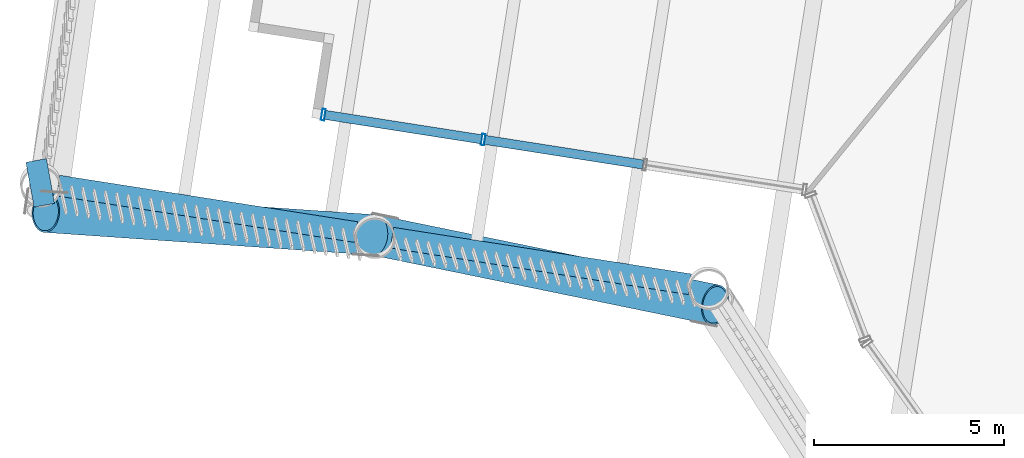
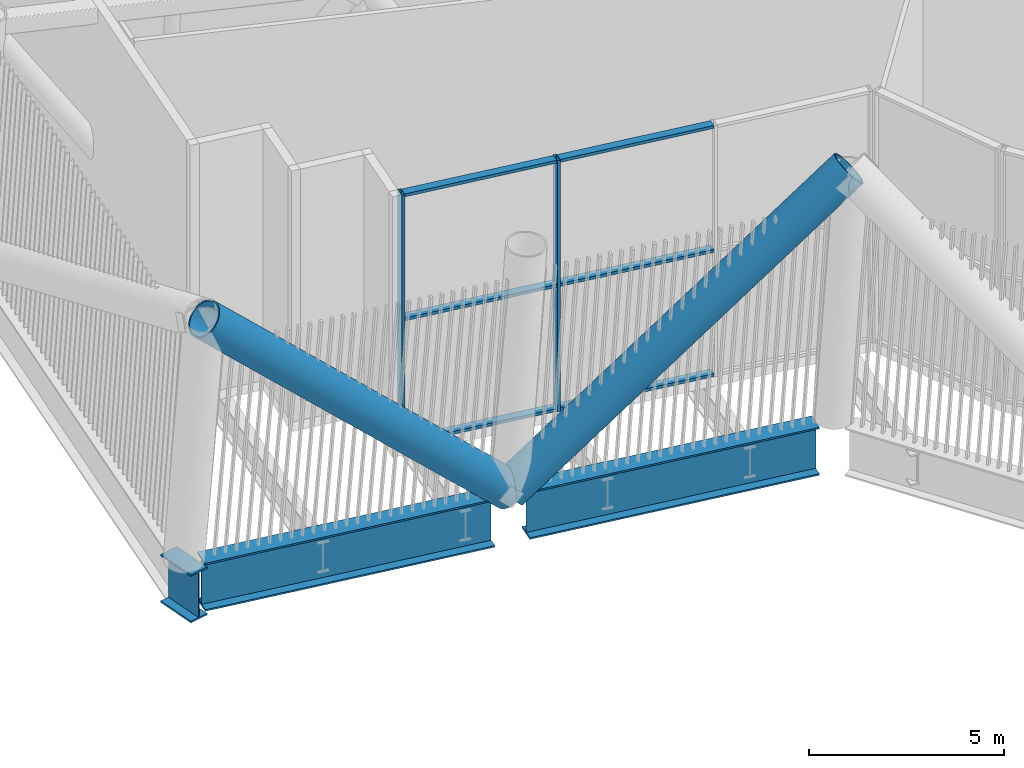
# One storey, part 11 of 55: 10 members, 3 beams, 1 element without a shape of its own.
"""IFC4 building model written with IfcOpenShell, lengths in metres."""

from ifc_helpers import new_model, si_unit, direction, frame, origin, origin_2d, place, context, subcontext, project, spatial, hollow_rectangle, hollow_circle, i_section, extrude, material, layer, layer_set, material_profile, profile_set, type_object, element, aggregate, save


model = new_model("IFC4")

# Units and contexts
model_context = context("Model", 3, precision=1e-05, world=origin(), true_north=direction((0.0, 1.0)))
body_context = subcontext(model_context, "Body", "Model", "MODEL_VIEW")
ifc_project = project(units=[si_unit("LENGTHUNIT", "METRE"), si_unit("AREAUNIT", "SQUARE_METRE"), si_unit("VOLUMEUNIT", "CUBIC_METRE"), si_unit("PLANEANGLEUNIT", "RADIAN"), si_unit("MASSUNIT", "GRAM", prefix="KILO")], contexts=[model_context])

# Site, building, storey
site_placement = place(None, origin())
site = spatial("IfcSite", under=ifc_project, at=site_placement, CompositionType="ELEMENT")
building_placement = place(site_placement, origin())
building = spatial("IfcBuilding", under=site, at=building_placement, Name="Tarsis Ring Headquarters", CompositionType="ELEMENT")
storey_placement = place(building_placement, frame((0.0, 0.0, 247.199951171875)))
storey = spatial("IfcBuildingStorey", under=building, at=storey_placement, Name="L58", CompositionType="ELEMENT", Elevation=247.199951171875)

# Curtain wall, members
ifc_material_1 = material(Name="Aluminium curtain wall", Category="aluminium")
ifc_layer = layer(ifc_material_1, 0.300048828125)
ifc_layer_set = layer_set([ifc_layer], Name="Curtain wall upper sky lobby")
curtain_wall_type = type_object("IfcCurtainWallType", Name="Curtain wall upper sky lobby", PredefinedType="NOTDEFINED", material=ifc_layer_set)
curtain_wall_placement = place(storey_placement, origin())
curtain_wall = element("IfcCurtainWall", 1, at=curtain_wall_placement, inside=storey, type_object=curtain_wall_type, Name="Curtain wall L58-01", PredefinedType="NOTDEFINED")
ifc_material_2 = material(Name="Aluminium mullion", Category="aluminium")
ifc_material_profile_1 = material_profile(ifc_material_2, hollow_rectangle(XDim=0.300048828125, YDim=0.090087890625, WallThickness=0.0048828125, at=origin_2d()), Name="RHS 300x90x5")
ifc_profile_set_1 = profile_set([ifc_material_profile_1], Name="Aluminium mullion")
member_type_1 = type_object("IfcMemberType", Name="Curtain wall mullion upper sky lobby RHS 300x90x5", PredefinedType="MULLION", material=ifc_profile_set_1)
member_1_placement = place(storey_placement, frame((-37.110107421875, -6.220947265625, 0.0), z_axis=(0.0, 0.0, 1.0), x_axis=(0.15436547798, 0.988013815292, 0.0)))
member_1 = element("IfcMember", 2, at=member_1_placement, type_object=member_type_1, Name="CW-U mullion 1", PredefinedType="MULLION", context=body_context, shape_type="SweptSolid", body=[
    extrude(hollow_rectangle(XDim=0.300048828125, YDim=0.090087890625, WallThickness=0.0048828125, at=origin_2d()), origin(), (0.0, 0.0, 1.0), 7.840087890625),
])
member_2_placement = place(storey_placement, frame((-32.89892578125, -6.87890625, 0.0), z_axis=(0.0, 0.0, 1.0), x_axis=(0.15436547798, 0.988013815292, 0.0)))
member_2 = element("IfcMember", 3, at=member_2_placement, type_object=member_type_1, Name="CW-U mullion 2", PredefinedType="MULLION", context=body_context, shape_type="SweptSolid", body=[
    extrude(hollow_rectangle(XDim=0.300048828125, YDim=0.090087890625, WallThickness=0.0048828125, at=origin_2d()), origin(), (0.0, 0.0, 1.0), 7.840087890625),
])
ifc_material_3 = material(Name="Aluminium transom", Category="aluminium")
ifc_material_profile_2 = material_profile(ifc_material_3, hollow_rectangle(XDim=0.239990234375, YDim=0.090087890625, WallThickness=0.0048828125, at=origin_2d()), Name="RHS 240x90x5")
ifc_profile_set_2 = profile_set([ifc_material_profile_2], Name="Aluminium transom")
member_type_2 = type_object("IfcMemberType", Name="Curtain wall transom upper sky lobby RHS 240x90x5", PredefinedType="USERDEFINED", material=ifc_profile_set_2)
member_3_placement = place(storey_placement, frame((-37.065673828125, -6.22802734375, 0.045166015625), z_axis=(0.988014543768, -0.154360815307, 0.0), x_axis=(0.154360815307, 0.988014543768, 0.0)))
member_3 = element("IfcMember", 4, at=member_3_placement, type_object=member_type_2, Name="CW-U transom 1.1", ObjectType="TRANSOM", PredefinedType="USERDEFINED", context=body_context, shape_type="SweptSolid", body=[
    extrude(hollow_rectangle(XDim=0.239990234375, YDim=0.090087890625, WallThickness=0.0048828125, at=origin_2d()), origin(), (0.0, 0.0, 1.0), 4.17236328125),
])
member_4_placement = place(storey_placement, frame((-37.065673828125, -6.22802734375, 3.920166015625), z_axis=(0.988014543768, -0.154360815307, 0.0), x_axis=(0.154360815307, 0.988014543768, 0.0)))
member_4 = element("IfcMember", 5, at=member_4_placement, type_object=member_type_2, Name="CW-U transom 1.2", ObjectType="TRANSOM", PredefinedType="USERDEFINED", context=body_context, shape_type="SweptSolid", body=[
    extrude(hollow_rectangle(XDim=0.239990234375, YDim=0.090087890625, WallThickness=0.0048828125, at=origin_2d()), origin(), (0.0, 0.0, 1.0), 4.17236328125),
])
member_5_placement = place(storey_placement, frame((-37.065673828125, -6.22802734375, 7.795166015625), z_axis=(0.988014543768, -0.154360815307, 0.0), x_axis=(0.154360815307, 0.988014543768, 0.0)))
member_5 = element("IfcMember", 6, at=member_5_placement, type_object=member_type_2, Name="CW-U transom 1.3", ObjectType="TRANSOM", PredefinedType="USERDEFINED", context=body_context, shape_type="SweptSolid", body=[
    extrude(hollow_rectangle(XDim=0.239990234375, YDim=0.090087890625, WallThickness=0.0048828125, at=origin_2d()), origin(), (0.0, 0.0, 1.0), 4.17236328125),
])
member_6_placement = place(storey_placement, frame((-32.8544921875, -6.885986328125, 0.045166015625), z_axis=(0.988018379356, -0.154336262926, 0.0), x_axis=(0.154336262926, 0.988018379356, 0.0)))
member_6 = element("IfcMember", 7, at=member_6_placement, type_object=member_type_2, Name="CW-U transom 2.1", ObjectType="TRANSOM", PredefinedType="USERDEFINED", context=body_context, shape_type="SweptSolid", body=[
    extrude(hollow_rectangle(XDim=0.239990234375, YDim=0.090087890625, WallThickness=0.0048828125, at=origin_2d()), origin(), (0.0, 0.0, 1.0), 4.21728515625),
])
member_7_placement = place(storey_placement, frame((-32.8544921875, -6.885986328125, 3.920166015625), z_axis=(0.988018379356, -0.154336262926, 0.0), x_axis=(0.154336262926, 0.988018379356, 0.0)))
member_7 = element("IfcMember", 8, at=member_7_placement, type_object=member_type_2, Name="CW-U transom 2.2", ObjectType="TRANSOM", PredefinedType="USERDEFINED", context=body_context, shape_type="SweptSolid", body=[
    extrude(hollow_rectangle(XDim=0.239990234375, YDim=0.090087890625, WallThickness=0.0048828125, at=origin_2d()), origin(), (0.0, 0.0, 1.0), 4.21728515625),
])
member_8_placement = place(storey_placement, frame((-32.8544921875, -6.885986328125, 7.795166015625), z_axis=(0.988018379356, -0.154336262926, 0.0), x_axis=(0.154336262926, 0.988018379356, 0.0)))
member_8 = element("IfcMember", 9, at=member_8_placement, type_object=member_type_2, Name="CW-U transom 2.3", ObjectType="TRANSOM", PredefinedType="USERDEFINED", context=body_context, shape_type="SweptSolid", body=[
    extrude(hollow_rectangle(XDim=0.239990234375, YDim=0.090087890625, WallThickness=0.0048828125, at=origin_2d()), origin(), (0.0, 0.0, 1.0), 4.21728515625),
])
aggregate(curtain_wall, [member_1, member_2, member_3, member_4, member_5, member_6, member_7, member_8])

# Members
ifc_material_4 = material(Name="Structural steel S355", Category="steel")
ifc_material_profile_3 = material_profile(ifc_material_4, hollow_circle(Radius=0.533447265625, WallThickness=0.044921875, at=origin_2d()), Name="CHS 1067x45")
ifc_profile_set_3 = profile_set([ifc_material_profile_3], Name="Structural steel S355")
member_type_3 = type_object("IfcMemberType", Name="TD Belt truss diagonal CHS 1067x45", PredefinedType="BRACE", material=ifc_profile_set_3)
member_9_placement = place(storey_placement, frame((-35.776123046875, -9.389892578125, 0.0), z_axis=(-0.733158735732, 0.050643314787, 0.678169243542), x_axis=(-0.068911304681, -0.997622790481, 0.0)))
element("IfcMember", 10, at=member_9_placement, inside=storey, type_object=member_type_3, Name="Belt truss diagonal TD5", PredefinedType="BRACE", context=body_context, shape_type="SweptSolid", body=[
    extrude(hollow_circle(Radius=0.533447265625, WallThickness=0.044921875, at=origin_2d()), origin(), (0.0, 0.0, 1.0), 11.79638671875),
])
member_10_placement = place(storey_placement, frame((-35.776123046875, -9.389892578125, 0.0), z_axis=(0.738336702495, -0.151445968558, 0.657208515127), x_axis=(0.200934322247, 0.979604715252, 0.0)))
element("IfcMember", 11, at=member_10_placement, inside=storey, type_object=member_type_3, Name="Belt truss diagonal TD5", PredefinedType="BRACE", context=body_context, shape_type="SweptSolid", body=[
    extrude(hollow_circle(Radius=0.533447265625, WallThickness=0.044921875, at=origin_2d()), origin(), (0.0, 0.0, 1.0), 12.172607421875),
])

# Beams
ifc_material_profile_4 = material_profile(ifc_material_4, i_section(OverallWidth=0.550048828125, OverallDepth=1.5, WebThickness=0.030029296875, FlangeThickness=0.050048828125, at=origin_2d()), Name="PG 1500x550x30x50")
ifc_profile_set_4 = profile_set([ifc_material_profile_4], Name="Structural steel S355")
beam_type = type_object("IfcBeamType", Name="XG Ring girder PG 1500x550x30x50", PredefinedType="BEAM", material=ifc_profile_set_4)
beam_placement = place(storey_placement, frame((-44.67724609375, -7.428955078125, -0.721923828125), z_axis=(0.177220005728, -0.984171260284, 0.0), x_axis=(0.984171260284, 0.177220005728, 0.0)))
element("IfcBeam", 12, at=beam_placement, inside=storey, type_object=beam_type, Name="Ring girder XG6", PredefinedType="BEAM", context=body_context, shape_type="SweptSolid", body=[
    extrude(i_section(OverallWidth=0.550048828125, OverallDepth=1.5, WebThickness=0.030029296875, FlangeThickness=0.050048828125, at=origin_2d()), origin(), (0.0, 0.0, 1.0), 1.199951171875),
])
for number, where, z_axis, x_axis, name in (
    (13, (-44.097412109375, -8.08984375, -0.75), (0.988012180271, -0.154375942544, 0.0), (0.154375942544, 0.988012180271, 0.0), "Ring girder XG6"),
    (14, (-35.3017578125, -9.464111328125, -0.75), (0.988016868455, -0.15434593499, 0.0), (0.15434593499, 0.988016868455, 0.0), "Ring girder XG6"),
):
    element("IfcBeam", number, at=place(storey_placement, frame(where, z_axis=z_axis, x_axis=x_axis)), inside=storey, type_object=beam_type, Name=name, PredefinedType="BEAM", context=body_context, shape_type="SweptSolid", body=[
        extrude(i_section(OverallWidth=0.550048828125, OverallDepth=1.5, WebThickness=0.030029296875, FlangeThickness=0.050048828125, at=origin_2d()), origin(), (0.0, 0.0, 1.0), 7.942138671875),
    ])

save(model, "model.ifc")
